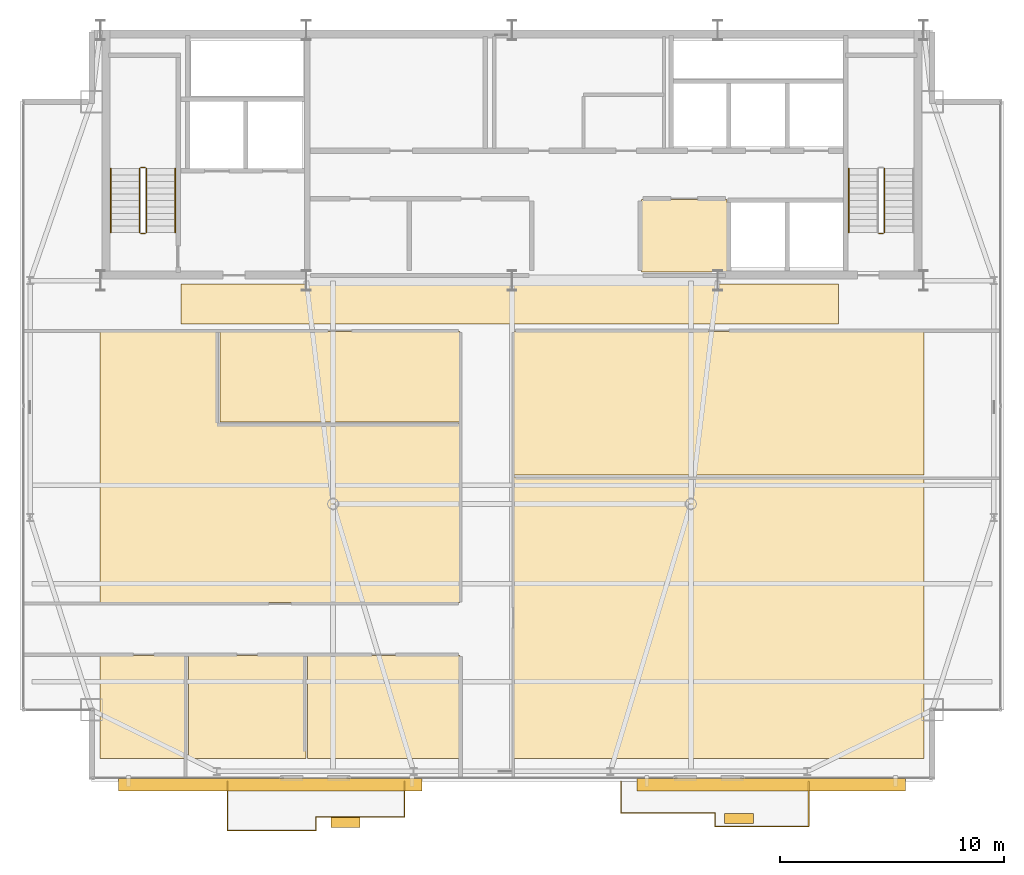
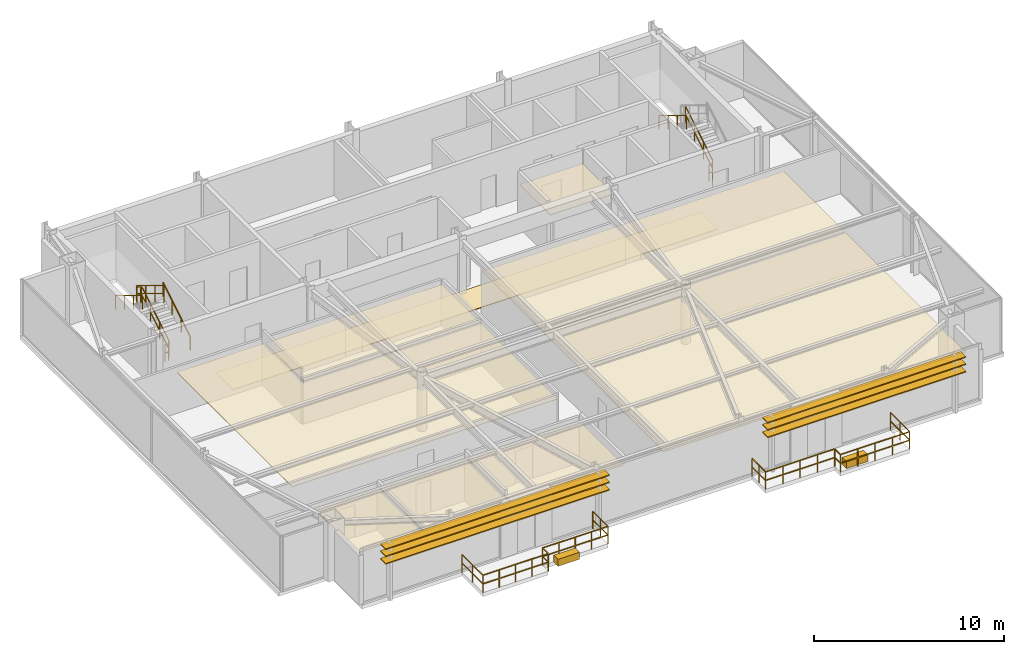
# One storey, part 23 of 24: 19 railings, 11 coverings, 6 shading devices.
"""IFC4 building model written with IfcOpenShell, lengths in metres."""

from ifc_helpers import new_model, si_unit, direction, frame, origin, origin_2d, place, context, subcontext, project, spatial, polyline, rectangle, outline, extrude, source, transform, mapped, material, layer, layer_set, type_object, type_shapes, element, save


model = new_model("IFC4")

# Units and contexts
model_context = context("Model", 3, precision=1e-05, world=origin(), true_north=direction((0.0, 1.0)))
body_context = subcontext(model_context, "Body", "Model", "MODEL_VIEW")
ifc_project = project(units=[si_unit("LENGTHUNIT", "METRE"), si_unit("AREAUNIT", "SQUARE_METRE"), si_unit("VOLUMEUNIT", "CUBIC_METRE"), si_unit("PLANEANGLEUNIT", "RADIAN"), si_unit("MASSUNIT", "GRAM", prefix="KILO")], contexts=[model_context])

# Site, building, storey
site_placement = place(None, origin())
site = spatial("IfcSite", under=ifc_project, at=site_placement, CompositionType="ELEMENT")
building_placement = place(site_placement, origin())
building = spatial("IfcBuilding", under=site, at=building_placement, Name="Varnel Quay Broadcast Tower", CompositionType="ELEMENT")
storey_placement = place(building_placement, frame((0.0, 0.0, 281.199951171875)))
storey = spatial("IfcBuildingStorey", under=building, at=storey_placement, Name="L70", CompositionType="ELEMENT", Elevation=281.199951171875)

# Coverings
ifc_material_1 = material(Name="Micro-Perforated Acoustic Ceiling Tile")
ifc_layer_1 = layer(ifc_material_1, 0.0400390625, Name="Micro-Perforated Acoustic Ceiling Tile")
ifc_layer_set_1 = layer_set([ifc_layer_1], Name="Micro-Perforated Acoustic Ceiling Tile")
covering_type_1 = type_object("IfcCoveringType", Name="Cov_AcousticCeiling", PredefinedType="CEILING", material=ifc_layer_set_1)
covering_1_placement = place(storey_placement, frame((0.0, 0.0, 2.580078125)))
element("IfcCovering", 1, at=covering_1_placement, inside=storey, type_object=covering_type_1, Name="L70 Electrical Sub-Distribution Closet Acoustic Ceiling", PredefinedType="CEILING", context=body_context, shape_type="SweptSolid", body=[
    extrude(outline(polyline([(39.784912109375, 35.985107421875), (43.614990234375, 35.985107421875), (43.614990234375, 39.215087890625), (39.784912109375, 39.215087890625), (39.784912109375, 35.985107421875)])), origin(), (0.0, 0.0, 1.0), 0.0400390625),
])
covering_2_placement = place(storey_placement, frame((0.0, 0.0, 2.580078125)))
element("IfcCovering", 2, at=covering_2_placement, inside=storey, type_object=covering_type_1, Name="L70 Broadcast Newsroom 1 Acoustic Ceiling", PredefinedType="CEILING", context=body_context, shape_type="SweptSolid", body=[
    extrude(outline(polyline([(15.5849609375, 14.22509765625), (19.465087890625, 14.22509765625), (19.465087890625, 18.824951171875), (15.5849609375, 18.824951171875), (15.5849609375, 14.22509765625)])), origin(), (0.0, 0.0, 1.0), 0.0400390625),
])
covering_3_placement = place(storey_placement, frame((0.0, 0.0, 2.580078125)))
element("IfcCovering", 3, at=covering_3_placement, inside=storey, type_object=covering_type_1, Name="L70 Assignment Desk 2 Acoustic Ceiling", PredefinedType="CEILING", context=body_context, shape_type="SweptSolid", body=[
    extrude(outline(polyline([(19.534912109375, 14.22509765625), (24.784912109375, 14.22509765625), (24.784912109375, 18.824951171875), (19.534912109375, 18.824951171875), (19.534912109375, 14.22509765625)])), origin(), (0.0, 0.0, 1.0), 0.0400390625),
])
covering_4_placement = place(storey_placement, frame((0.0, 0.0, 2.580078125)))
element("IfcCovering", 4, at=covering_4_placement, inside=storey, type_object=covering_type_1, Name="L70 Editorial Boardroom 3 Acoustic Ceiling", PredefinedType="CEILING", context=body_context, shape_type="SweptSolid", body=[
    extrude(outline(polyline([(24.85498046875, 14.22509765625), (31.6650390625, 14.22509765625), (31.6650390625, 18.824951171875), (24.85498046875, 18.824951171875), (24.85498046875, 14.22509765625)])), origin(), (0.0, 0.0, 1.0), 0.0400390625),
])
covering_5_placement = place(storey_placement, frame((0.0, 0.0, 2.580078125)))
element("IfcCovering", 5, at=covering_5_placement, inside=storey, type_object=covering_type_1, Name="L70 Press Green Lounge 4 Acoustic Ceiling", PredefinedType="CEILING", context=body_context, shape_type="SweptSolid", body=[
    extrude(outline(polyline([(15.5849609375, 21.195068359375), (31.6650390625, 21.195068359375), (31.6650390625, 29.215087890625), (20.875, 29.215087890625), (20.875, 33.31494140625), (15.5849609375, 33.31494140625), (15.5849609375, 21.195068359375)])), origin(), (0.0, 0.0, 1.0), 0.0400390625),
])
covering_6_placement = place(storey_placement, frame((0.0, 0.0, 2.580078125)))
element("IfcCovering", 6, at=covering_6_placement, inside=storey, type_object=covering_type_1, Name="L70 Editorial Boardroom 5 Acoustic Ceiling", PredefinedType="CEILING", context=body_context, shape_type="SweptSolid", body=[
    extrude(outline(polyline([(20.945068359375, 29.284912109375), (31.6650390625, 29.284912109375), (31.6650390625, 33.31494140625), (20.945068359375, 33.31494140625), (20.945068359375, 29.284912109375)])), origin(), (0.0, 0.0, 1.0), 0.0400390625),
])
covering_7_placement = place(storey_placement, frame((0.0, 0.0, 2.580078125)))
element("IfcCovering", 7, at=covering_7_placement, inside=storey, type_object=covering_type_1, Name="L70 Camera Locker Store 6 Acoustic Ceiling", PredefinedType="CEILING", context=body_context, shape_type="SweptSolid", body=[
    extrude(outline(polyline([(34.0849609375, 14.22509765625), (52.4150390625, 14.22509765625), (52.4150390625, 26.824951171875), (34.0849609375, 26.824951171875), (34.0849609375, 14.22509765625)])), origin(), (0.0, 0.0, 1.0), 0.0400390625),
])
covering_8_placement = place(storey_placement, frame((0.0, 0.0, 2.580078125)))
element("IfcCovering", 8, at=covering_8_placement, inside=storey, type_object=covering_type_1, Name="L70 Broadcast Newsroom 7 Acoustic Ceiling", PredefinedType="CEILING", context=body_context, shape_type="SweptSolid", body=[
    extrude(outline(polyline([(34.0849609375, 26.89501953125), (52.4150390625, 26.89501953125), (52.4150390625, 33.31494140625), (34.0849609375, 33.31494140625), (34.0849609375, 26.89501953125)])), origin(), (0.0, 0.0, 1.0), 0.0400390625),
])
ifc_material_2 = material(Name="Polished Terrazzo & Broadcast Raised Flooring")
ifc_layer_2 = layer(ifc_material_2, 0.0400390625, Name="Polished Terrazzo & Broadcast Raised Flooring")
ifc_layer_set_2 = layer_set([ifc_layer_2], Name="Polished Terrazzo & Broadcast Raised Flooring")
covering_type_2 = type_object("IfcCoveringType", Name="Cov_TerrazzoFloor", PredefinedType="FLOORING", material=ifc_layer_set_2)
covering_9_placement = place(storey_placement, origin())
element("IfcCovering", 9, at=covering_9_placement, inside=storey, type_object=covering_type_2, Name="L70 Corridor Terrazzo Flooring", PredefinedType="FLOORING", context=body_context, shape_type="SweptSolid", body=[
    extrude(outline(polyline([(19.199951171875, 33.64990234375), (48.60009765625, 33.64990234375), (48.60009765625, 35.449951171875), (19.199951171875, 35.449951171875), (19.199951171875, 33.64990234375)])), origin(), (0.0, 0.0, 1.0), 0.0400390625),
])

# Railings
ifc_material_3 = material(Name="Anodised Bronze Aluminium 6063-T6", Category="aluminium")
railing_type_1 = type_object("IfcRailingType", Name="Rail_Balustrade1150", PredefinedType="BALUSTRADE", material=ifc_material_3)
railing_1_placement = place(storey_placement, frame((21.27001953125, 11.010009765625, 0.0)))
element("IfcRailing", 10, at=railing_1_placement, inside=storey, type_object=railing_type_1, Name="L70 Terrace 1 Guard 1", PredefinedType="BALUSTRADE", context=body_context, shape_type="SweptSolid", body=[
    extrude(rectangle(XDim=0.048095703125, YDim=0.048095703125, at=origin_2d()), frame((0.0, 0.0, 1.1259765625), z_axis=(1.0, 0.0, 0.0), x_axis=(0.0, 1.0, 0.0)), (0.0, 0.0, 1.0), 3.965087890625),
    extrude(rectangle(XDim=0.048095703125, YDim=0.048095703125, at=origin_2d()), frame((0.0, 0.0, 0.574951171875), z_axis=(1.0, 0.0, 0.0), x_axis=(0.0, 1.0, 0.0)), (0.0, 0.0, 1.0), 3.965087890625),
    extrude(rectangle(XDim=0.0419921875, YDim=0.0419921875, at=origin_2d()), origin(), (0.0, 0.0, 1.0), 1.101806640625),
    extrude(rectangle(XDim=0.0419921875, YDim=0.0419921875, at=origin_2d()), frame((0.9912109375, 0.0, 0.0)), (0.0, 0.0, 1.0), 1.101806640625),
    extrude(rectangle(XDim=0.0419921875, YDim=0.0419921875, at=origin_2d()), frame((1.982421875, 0.0, 0.0)), (0.0, 0.0, 1.0), 1.101806640625),
    extrude(rectangle(XDim=0.0419921875, YDim=0.0419921875, at=origin_2d()), frame((2.973876953125, 0.0, 0.0)), (0.0, 0.0, 1.0), 1.101806640625),
    extrude(rectangle(XDim=0.0419921875, YDim=0.0419921875, at=origin_2d()), frame((3.965087890625, 0.0, 0.0)), (0.0, 0.0, 1.0), 1.101806640625),
])
railing_2_placement = place(storey_placement, frame((25.235107421875, 11.010009765625, 0.0)))
element("IfcRailing", 11, at=railing_2_placement, inside=storey, type_object=railing_type_1, Name="L70 Terrace 1 Guard 2", PredefinedType="BALUSTRADE", context=body_context, shape_type="SweptSolid", body=[
    extrude(rectangle(XDim=0.048095703125, YDim=0.048095703125, at=origin_2d()), frame((0.0, 0.0, 1.1259765625), z_axis=(0.0, 1.0, 0.0), x_axis=(-1.0, 0.0, 0.0)), (0.0, 0.0, 1.0), 0.60009765625),
    extrude(rectangle(XDim=0.048095703125, YDim=0.048095703125, at=origin_2d()), frame((0.0, 0.0, 0.574951171875), z_axis=(0.0, 1.0, 0.0), x_axis=(-1.0, 0.0, 0.0)), (0.0, 0.0, 1.0), 0.60009765625),
    extrude(rectangle(XDim=0.0419921875, YDim=0.0419921875, at=origin_2d()), origin(), (0.0, 0.0, 1.0), 1.101806640625),
    extrude(rectangle(XDim=0.0419921875, YDim=0.0419921875, at=origin_2d()), frame((0.0, 0.60009765625, 0.0)), (0.0, 0.0, 1.0), 1.101806640625),
])
railing_3_placement = place(storey_placement, frame((25.235107421875, 11.610107421875, 0.0)))
element("IfcRailing", 12, at=railing_3_placement, inside=storey, type_object=railing_type_1, Name="L70 Terrace 1 Guard 3", PredefinedType="BALUSTRADE", context=body_context, shape_type="SweptSolid", body=[
    extrude(rectangle(XDim=0.048095703125, YDim=0.048095703125, at=origin_2d()), frame((0.0, 0.0, 1.1259765625), z_axis=(1.0, 0.0, 0.0), x_axis=(0.0, 1.0, 0.0)), (0.0, 0.0, 1.0), 3.96484375),
    extrude(rectangle(XDim=0.048095703125, YDim=0.048095703125, at=origin_2d()), frame((0.0, 0.0, 0.574951171875), z_axis=(1.0, 0.0, 0.0), x_axis=(0.0, 1.0, 0.0)), (0.0, 0.0, 1.0), 3.96484375),
    extrude(rectangle(XDim=0.0419921875, YDim=0.0419921875, at=origin_2d()), origin(), (0.0, 0.0, 1.0), 1.101806640625),
    extrude(rectangle(XDim=0.0419921875, YDim=0.0419921875, at=origin_2d()), frame((0.9912109375, 0.0, 0.0)), (0.0, 0.0, 1.0), 1.101806640625),
    extrude(rectangle(XDim=0.0419921875, YDim=0.0419921875, at=origin_2d()), frame((1.982421875, 0.0, 0.0)), (0.0, 0.0, 1.0), 1.101806640625),
    extrude(rectangle(XDim=0.0419921875, YDim=0.0419921875, at=origin_2d()), frame((2.9736328125, 0.0, 0.0)), (0.0, 0.0, 1.0), 1.101806640625),
    extrude(rectangle(XDim=0.0419921875, YDim=0.0419921875, at=origin_2d()), frame((3.96484375, 0.0, 0.0)), (0.0, 0.0, 1.0), 1.101806640625),
])
railing_4_placement = place(storey_placement, frame((29.199951171875, 11.610107421875, 0.0)))
element("IfcRailing", 13, at=railing_4_placement, inside=storey, type_object=railing_type_1, Name="L70 Terrace 1 Guard 4", PredefinedType="BALUSTRADE", context=body_context, shape_type="SweptSolid", body=[
    extrude(rectangle(XDim=0.048095703125, YDim=0.048095703125, at=origin_2d()), frame((0.0, 0.0, 1.1259765625), z_axis=(0.0, 1.0, 0.0), x_axis=(-1.0, 0.0, 0.0)), (0.0, 0.0, 1.0), 1.58984375),
    extrude(rectangle(XDim=0.048095703125, YDim=0.048095703125, at=origin_2d()), frame((0.0, 0.0, 0.574951171875), z_axis=(0.0, 1.0, 0.0), x_axis=(-1.0, 0.0, 0.0)), (0.0, 0.0, 1.0), 1.58984375),
    extrude(rectangle(XDim=0.0419921875, YDim=0.0419921875, at=origin_2d()), origin(), (0.0, 0.0, 1.0), 1.101806640625),
    extrude(rectangle(XDim=0.0419921875, YDim=0.0419921875, at=origin_2d()), frame((0.0, 0.794921875, 0.0)), (0.0, 0.0, 1.0), 1.101806640625),
    extrude(rectangle(XDim=0.0419921875, YDim=0.0419921875, at=origin_2d()), frame((0.0, 1.58984375, 0.0)), (0.0, 0.0, 1.0), 1.101806640625),
])
railing_5_placement = place(storey_placement, frame((21.27001953125, 13.199951171875, 0.0)))
element("IfcRailing", 14, at=railing_5_placement, inside=storey, type_object=railing_type_1, Name="L70 Terrace 1 Guard 6", PredefinedType="BALUSTRADE", context=body_context, shape_type="SweptSolid", body=[
    extrude(rectangle(XDim=0.048095703125, YDim=0.048095703125, at=origin_2d()), frame((0.0, 0.0, 1.1259765625), z_axis=(0.0, -1.0, 0.0), x_axis=(1.0, 0.0, 0.0)), (0.0, 0.0, 1.0), 2.18994140625),
    extrude(rectangle(XDim=0.048095703125, YDim=0.048095703125, at=origin_2d()), frame((0.0, 0.0, 0.574951171875), z_axis=(0.0, -1.0, 0.0), x_axis=(1.0, 0.0, 0.0)), (0.0, 0.0, 1.0), 2.18994140625),
    extrude(rectangle(XDim=0.0419921875, YDim=0.0419921875, at=origin_2d()), origin(), (0.0, 0.0, 1.0), 1.101806640625),
    extrude(rectangle(XDim=0.0419921875, YDim=0.0419921875, at=origin_2d()), frame((0.0, -1.094970703125, 0.0)), (0.0, 0.0, 1.0), 1.101806640625),
    extrude(rectangle(XDim=0.0419921875, YDim=0.0419921875, at=origin_2d()), frame((0.0, -2.18994140625, 0.0)), (0.0, 0.0, 1.0), 1.101806640625),
])
railing_6_placement = place(storey_placement, frame((38.8701171875, 11.7900390625, 0.0)))
element("IfcRailing", 15, at=railing_6_placement, inside=storey, type_object=railing_type_1, Name="L70 Terrace 2 Guard 1", PredefinedType="BALUSTRADE", context=body_context, shape_type="SweptSolid", body=[
    extrude(rectangle(XDim=0.048095703125, YDim=0.048095703125, at=origin_2d()), frame((0.0, 0.0, 1.1259765625), z_axis=(1.0, 0.0, 0.0), x_axis=(0.0, 1.0, 0.0)), (0.0, 0.0, 1.0), 4.199951171875),
    extrude(rectangle(XDim=0.048095703125, YDim=0.048095703125, at=origin_2d()), frame((0.0, 0.0, 0.574951171875), z_axis=(1.0, 0.0, 0.0), x_axis=(0.0, 1.0, 0.0)), (0.0, 0.0, 1.0), 4.199951171875),
    extrude(rectangle(XDim=0.0419921875, YDim=0.0419921875, at=origin_2d()), origin(), (0.0, 0.0, 1.0), 1.101806640625),
    extrude(rectangle(XDim=0.0419921875, YDim=0.0419921875, at=origin_2d()), frame((1.050048828125, 0.0, 0.0)), (0.0, 0.0, 1.0), 1.101806640625),
    extrude(rectangle(XDim=0.0419921875, YDim=0.0419921875, at=origin_2d()), frame((2.10009765625, 0.0, 0.0)), (0.0, 0.0, 1.0), 1.101806640625),
    extrude(rectangle(XDim=0.0419921875, YDim=0.0419921875, at=origin_2d()), frame((3.14990234375, 0.0, 0.0)), (0.0, 0.0, 1.0), 1.101806640625),
    extrude(rectangle(XDim=0.0419921875, YDim=0.0419921875, at=origin_2d()), frame((4.199951171875, 0.0, 0.0)), (0.0, 0.0, 1.0), 1.101806640625),
])
railing_7_placement = place(storey_placement, frame((43.070068359375, 11.7900390625, 0.0)))
element("IfcRailing", 16, at=railing_7_placement, inside=storey, type_object=railing_type_1, Name="L70 Terrace 2 Guard 2", PredefinedType="BALUSTRADE", context=body_context, shape_type="SweptSolid", body=[
    extrude(rectangle(XDim=0.048095703125, YDim=0.048095703125, at=origin_2d()), frame((0.0, 0.0, 1.1259765625), z_axis=(0.0, -1.0, 0.0), x_axis=(1.0, 0.0, 0.0)), (0.0, 0.0, 1.0), 0.60009765625),
    extrude(rectangle(XDim=0.048095703125, YDim=0.048095703125, at=origin_2d()), frame((0.0, 0.0, 0.574951171875), z_axis=(0.0, -1.0, 0.0), x_axis=(1.0, 0.0, 0.0)), (0.0, 0.0, 1.0), 0.60009765625),
    extrude(rectangle(XDim=0.0419921875, YDim=0.0419921875, at=origin_2d()), origin(), (0.0, 0.0, 1.0), 1.101806640625),
    extrude(rectangle(XDim=0.0419921875, YDim=0.0419921875, at=origin_2d()), frame((0.0, -0.60009765625, 0.0)), (0.0, 0.0, 1.0), 1.101806640625),
])
railing_8_placement = place(storey_placement, frame((43.070068359375, 11.18994140625, 0.0)))
element("IfcRailing", 17, at=railing_8_placement, inside=storey, type_object=railing_type_1, Name="L70 Terrace 2 Guard 3", PredefinedType="BALUSTRADE", context=body_context, shape_type="SweptSolid", body=[
    extrude(rectangle(XDim=0.048095703125, YDim=0.048095703125, at=origin_2d()), frame((0.0, 0.0, 1.1259765625), z_axis=(1.0, 0.0, 0.0), x_axis=(0.0, 1.0, 0.0)), (0.0, 0.0, 1.0), 4.199951171875),
    extrude(rectangle(XDim=0.048095703125, YDim=0.048095703125, at=origin_2d()), frame((0.0, 0.0, 0.574951171875), z_axis=(1.0, 0.0, 0.0), x_axis=(0.0, 1.0, 0.0)), (0.0, 0.0, 1.0), 4.199951171875),
    extrude(rectangle(XDim=0.0419921875, YDim=0.0419921875, at=origin_2d()), origin(), (0.0, 0.0, 1.0), 1.101806640625),
    extrude(rectangle(XDim=0.0419921875, YDim=0.0419921875, at=origin_2d()), frame((1.050048828125, 0.0, 0.0)), (0.0, 0.0, 1.0), 1.101806640625),
    extrude(rectangle(XDim=0.0419921875, YDim=0.0419921875, at=origin_2d()), frame((2.10009765625, 0.0, 0.0)), (0.0, 0.0, 1.0), 1.101806640625),
    extrude(rectangle(XDim=0.0419921875, YDim=0.0419921875, at=origin_2d()), frame((3.14990234375, 0.0, 0.0)), (0.0, 0.0, 1.0), 1.101806640625),
    extrude(rectangle(XDim=0.0419921875, YDim=0.0419921875, at=origin_2d()), frame((4.199951171875, 0.0, 0.0)), (0.0, 0.0, 1.0), 1.101806640625),
])
railing_9_placement = place(storey_placement, frame((47.27001953125, 11.18994140625, 0.0)))
element("IfcRailing", 18, at=railing_9_placement, inside=storey, type_object=railing_type_1, Name="L70 Terrace 2 Guard 4", PredefinedType="BALUSTRADE", context=body_context, shape_type="SweptSolid", body=[
    extrude(rectangle(XDim=0.048095703125, YDim=0.048095703125, at=origin_2d()), frame((0.0, 0.0, 1.1259765625), z_axis=(0.0, 1.0, 0.0), x_axis=(-1.0, 0.0, 0.0)), (0.0, 0.0, 1.0), 2.010009765625),
    extrude(rectangle(XDim=0.048095703125, YDim=0.048095703125, at=origin_2d()), frame((0.0, 0.0, 0.574951171875), z_axis=(0.0, 1.0, 0.0), x_axis=(-1.0, 0.0, 0.0)), (0.0, 0.0, 1.0), 2.010009765625),
    extrude(rectangle(XDim=0.0419921875, YDim=0.0419921875, at=origin_2d()), origin(), (0.0, 0.0, 1.0), 1.101806640625),
    extrude(rectangle(XDim=0.0419921875, YDim=0.0419921875, at=origin_2d()), frame((0.0, 1.0048828125, 0.0)), (0.0, 0.0, 1.0), 1.101806640625),
    extrude(rectangle(XDim=0.0419921875, YDim=0.0419921875, at=origin_2d()), frame((0.0, 2.010009765625, 0.0)), (0.0, 0.0, 1.0), 1.101806640625),
])
railing_10_placement = place(storey_placement, frame((38.8701171875, 13.199951171875, 0.0)))
element("IfcRailing", 19, at=railing_10_placement, inside=storey, type_object=railing_type_1, Name="L70 Terrace 2 Guard 6", PredefinedType="BALUSTRADE", context=body_context, shape_type="SweptSolid", body=[
    extrude(rectangle(XDim=0.048095703125, YDim=0.048095703125, at=origin_2d()), frame((0.0, 0.0, 1.1259765625), z_axis=(0.0, -1.0, 0.0), x_axis=(1.0, 0.0, 0.0)), (0.0, 0.0, 1.0), 1.409912109375),
    extrude(rectangle(XDim=0.048095703125, YDim=0.048095703125, at=origin_2d()), frame((0.0, 0.0, 0.574951171875), z_axis=(0.0, -1.0, 0.0), x_axis=(1.0, 0.0, 0.0)), (0.0, 0.0, 1.0), 1.409912109375),
    extrude(rectangle(XDim=0.0419921875, YDim=0.0419921875, at=origin_2d()), origin(), (0.0, 0.0, 1.0), 1.101806640625),
    extrude(rectangle(XDim=0.0419921875, YDim=0.0419921875, at=origin_2d()), frame((0.0, -0.705078125, 0.0)), (0.0, 0.0, 1.0), 1.101806640625),
    extrude(rectangle(XDim=0.0419921875, YDim=0.0419921875, at=origin_2d()), frame((0.0, -1.409912109375, 0.0)), (0.0, 0.0, 1.0), 1.101806640625),
])
ifc_material_4 = material(Name="Painted Steel Guard and Handrail CSA G40.21 350W", Category="steel")
railing_type_2 = type_object("IfcRailingType", Name="Rail_StairGuard1100", PredefinedType="GUARDRAIL", material=ifc_material_4)
railing_11_placement = place(storey_placement, frame((17.64990234375, 37.75, 0.1728515625)))
element("IfcRailing", 20, at=railing_11_placement, inside=storey, type_object=railing_type_2, Name="L70 ST-01 stair guard 1", PredefinedType="GUARDRAIL", context=body_context, shape_type="SweptSolid", body=[
    extrude(rectangle(XDim=0.048095703125, YDim=0.048095703125, at=origin_2d()), frame((0.0, 0.0, 1.076171875), z_axis=(0.0, 0.855202751398, 0.518293598264), x_axis=(-1.0, 0.0, 0.0)), (0.0, 0.0, 1.0), 3.332763671875),
    extrude(rectangle(XDim=0.048095703125, YDim=0.048095703125, at=origin_2d()), frame((0.0, 0.0, 0.550048828125), z_axis=(0.0, 0.855202751398, 0.518293598264), x_axis=(-1.0, 0.0, 0.0)), (0.0, 0.0, 1.0), 3.332763671875),
    extrude(rectangle(XDim=0.0419921875, YDim=0.0419921875, at=origin_2d()), origin(), (0.0, 0.0, 1.0), 1.052001953125),
    extrude(rectangle(XDim=0.0419921875, YDim=0.0419921875, at=origin_2d()), frame((0.0, 0.949951171875, 0.57568359375)), (0.0, 0.0, 1.0), 1.052001953125),
    extrude(rectangle(XDim=0.0419921875, YDim=0.0419921875, at=origin_2d()), frame((0.0, 1.900146484375, 1.151611328125)), (0.0, 0.0, 1.0), 1.052001953125),
    extrude(rectangle(XDim=0.0419921875, YDim=0.0419921875, at=origin_2d()), frame((0.0, 2.85009765625, 1.727294921875)), (0.0, 0.0, 1.0), 1.052001953125),
])
railing_12_placement = place(storey_placement, frame((17.60009765625, 40.64990234375, 1.900146484375)))
element("IfcRailing", 21, at=railing_12_placement, inside=storey, type_object=railing_type_2, Name="L70 ST-01 stair guard 2", PredefinedType="GUARDRAIL", context=body_context, shape_type="SweptSolid", body=[
    extrude(rectangle(XDim=0.048095703125, YDim=0.048095703125, at=origin_2d()), frame((0.0, 0.0, 1.076171875), z_axis=(-1.0, 0.0, 0.0), x_axis=(0.0, -1.0, 0.0)), (0.0, 0.0, 1.0), 0.2001953125),
    extrude(rectangle(XDim=0.048095703125, YDim=0.048095703125, at=origin_2d()), frame((0.0, 0.0, 0.550048828125), z_axis=(-1.0, 0.0, 0.0), x_axis=(0.0, -1.0, 0.0)), (0.0, 0.0, 1.0), 0.2001953125),
    extrude(rectangle(XDim=0.0419921875, YDim=0.0419921875, at=origin_2d()), origin(), (0.0, 0.0, 1.0), 1.052001953125),
    extrude(rectangle(XDim=0.0419921875, YDim=0.0419921875, at=origin_2d()), frame((-0.2001953125, 0.0, 0.0)), (0.0, 0.0, 1.0), 1.052001953125),
])
railing_13_placement = place(storey_placement, frame((17.35009765625, 40.60009765625, 2.07275390625)))
element("IfcRailing", 22, at=railing_13_placement, inside=storey, type_object=railing_type_2, Name="L70 ST-01 stair guard 3", PredefinedType="GUARDRAIL", context=body_context, shape_type="SweptSolid", body=[
    extrude(rectangle(XDim=0.048095703125, YDim=0.048095703125, at=origin_2d()), frame((0.0, 0.0, 1.076171875), z_axis=(0.0, -0.855202751398, 0.518293598264), x_axis=(1.0, 0.0, 0.0)), (0.0, 0.0, 1.0), 3.332763671875),
    extrude(rectangle(XDim=0.048095703125, YDim=0.048095703125, at=origin_2d()), frame((0.0, 0.0, 0.550048828125), z_axis=(0.0, -0.855202751398, 0.518293598264), x_axis=(1.0, 0.0, 0.0)), (0.0, 0.0, 1.0), 3.332763671875),
    extrude(rectangle(XDim=0.0419921875, YDim=0.0419921875, at=origin_2d()), origin(), (0.0, 0.0, 1.0), 1.052001953125),
    extrude(rectangle(XDim=0.0419921875, YDim=0.0419921875, at=origin_2d()), frame((0.0, -0.949951171875, 0.57568359375)), (0.0, 0.0, 1.0), 1.052001953125),
    extrude(rectangle(XDim=0.0419921875, YDim=0.0419921875, at=origin_2d()), frame((0.0, -1.900146484375, 1.151611328125)), (0.0, 0.0, 1.0), 1.052001953125),
    extrude(rectangle(XDim=0.0419921875, YDim=0.0419921875, at=origin_2d()), frame((0.0, -2.85009765625, 1.727294921875)), (0.0, 0.0, 1.0), 1.052001953125),
])
railing_14_placement = place(storey_placement, frame((17.60009765625, 37.699951171875, 0.0)))
element("IfcRailing", 23, at=railing_14_placement, inside=storey, type_object=railing_type_2, Name="L70 ST-01 stair guard 4", PredefinedType="GUARDRAIL", context=body_context, shape_type="SweptSolid", body=[
    extrude(rectangle(XDim=0.048095703125, YDim=0.048095703125, at=origin_2d()), frame((0.0, 0.0, 1.076171875), z_axis=(-1.0, 0.0, 0.0), x_axis=(0.0, -1.0, 0.0)), (0.0, 0.0, 1.0), 0.2001953125),
    extrude(rectangle(XDim=0.048095703125, YDim=0.048095703125, at=origin_2d()), frame((0.0, 0.0, 0.550048828125), z_axis=(-1.0, 0.0, 0.0), x_axis=(0.0, -1.0, 0.0)), (0.0, 0.0, 1.0), 0.2001953125),
    extrude(rectangle(XDim=0.0419921875, YDim=0.0419921875, at=origin_2d()), origin(), (0.0, 0.0, 1.0), 1.052001953125),
    extrude(rectangle(XDim=0.0419921875, YDim=0.0419921875, at=origin_2d()), frame((-0.2001953125, 0.0, 0.0)), (0.0, 0.0, 1.0), 1.052001953125),
])
railing_15_placement = place(storey_placement, frame((50.64990234375, 37.75, 0.1728515625)))
element("IfcRailing", 24, at=railing_15_placement, inside=storey, type_object=railing_type_2, Name="L70 ST-02 stair guard 1", PredefinedType="GUARDRAIL", context=body_context, shape_type="SweptSolid", body=[
    extrude(rectangle(XDim=0.048095703125, YDim=0.048095703125, at=origin_2d()), frame((0.0, 0.0, 1.076171875), z_axis=(0.0, 0.855202751398, 0.518293598264), x_axis=(-1.0, 0.0, 0.0)), (0.0, 0.0, 1.0), 3.332763671875),
    extrude(rectangle(XDim=0.048095703125, YDim=0.048095703125, at=origin_2d()), frame((0.0, 0.0, 0.550048828125), z_axis=(0.0, 0.855202751398, 0.518293598264), x_axis=(-1.0, 0.0, 0.0)), (0.0, 0.0, 1.0), 3.332763671875),
    extrude(rectangle(XDim=0.0419921875, YDim=0.0419921875, at=origin_2d()), origin(), (0.0, 0.0, 1.0), 1.052001953125),
    extrude(rectangle(XDim=0.0419921875, YDim=0.0419921875, at=origin_2d()), frame((0.0, 0.949951171875, 0.57568359375)), (0.0, 0.0, 1.0), 1.052001953125),
    extrude(rectangle(XDim=0.0419921875, YDim=0.0419921875, at=origin_2d()), frame((0.0, 1.900146484375, 1.151611328125)), (0.0, 0.0, 1.0), 1.052001953125),
    extrude(rectangle(XDim=0.0419921875, YDim=0.0419921875, at=origin_2d()), frame((0.0, 2.85009765625, 1.727294921875)), (0.0, 0.0, 1.0), 1.052001953125),
])
railing_16_placement = place(storey_placement, frame((50.60009765625, 37.699951171875, 0.0)))
element("IfcRailing", 25, at=railing_16_placement, inside=storey, type_object=railing_type_2, Name="L70 ST-02 stair guard 4", PredefinedType="GUARDRAIL", context=body_context, shape_type="SweptSolid", body=[
    extrude(rectangle(XDim=0.048095703125, YDim=0.048095703125, at=origin_2d()), frame((0.0, 0.0, 1.076171875), z_axis=(-1.0, 0.0, 0.0), x_axis=(0.0, -1.0, 0.0)), (0.0, 0.0, 1.0), 0.2001953125),
    extrude(rectangle(XDim=0.048095703125, YDim=0.048095703125, at=origin_2d()), frame((0.0, 0.0, 0.550048828125), z_axis=(-1.0, 0.0, 0.0), x_axis=(0.0, -1.0, 0.0)), (0.0, 0.0, 1.0), 0.2001953125),
    extrude(rectangle(XDim=0.0419921875, YDim=0.0419921875, at=origin_2d()), origin(), (0.0, 0.0, 1.0), 1.052001953125),
    extrude(rectangle(XDim=0.0419921875, YDim=0.0419921875, at=origin_2d()), frame((-0.2001953125, 0.0, 0.0)), (0.0, 0.0, 1.0), 1.052001953125),
])
railing_type_3 = type_object("IfcRailingType", Name="Rail_StairHandrail900", PredefinedType="HANDRAIL", material=ifc_material_4)
railing_17_placement = place(storey_placement, frame((18.949951171875, 37.75, 0.1728515625)))
element("IfcRailing", 26, at=railing_17_placement, inside=storey, type_object=railing_type_3, Name="L70 ST-01 stair handrail 1", PredefinedType="HANDRAIL", context=body_context, shape_type="SweptSolid", body=[
    extrude(rectangle(XDim=0.048095703125, YDim=0.048095703125, at=origin_2d()), frame((0.0, 0.0, 0.8759765625), z_axis=(0.0, 0.855202751398, 0.518293598264), x_axis=(-1.0, 0.0, 0.0)), (0.0, 0.0, 1.0), 3.332763671875),
    extrude(rectangle(XDim=0.0419921875, YDim=0.0419921875, at=origin_2d()), origin(), (0.0, 0.0, 1.0), 0.851806640625),
    extrude(rectangle(XDim=0.0419921875, YDim=0.0419921875, at=origin_2d()), frame((0.0, 0.949951171875, 0.57568359375)), (0.0, 0.0, 1.0), 0.851806640625),
    extrude(rectangle(XDim=0.0419921875, YDim=0.0419921875, at=origin_2d()), frame((0.0, 1.900146484375, 1.151611328125)), (0.0, 0.0, 1.0), 0.851806640625),
    extrude(rectangle(XDim=0.0419921875, YDim=0.0419921875, at=origin_2d()), frame((0.0, 2.85009765625, 1.727294921875)), (0.0, 0.0, 1.0), 0.851806640625),
])
for number, where, name in (
    (27, (16.050048828125, 40.60009765625, 2.07275390625), "L70 ST-01 stair handrail 2"),
    (28, (49.050048828125, 40.60009765625, 2.07275390625), "L70 ST-02 stair handrail 2"),
):
    element("IfcRailing", number, at=place(storey_placement, frame(where)), inside=storey, type_object=railing_type_3, Name=name, PredefinedType="HANDRAIL", context=body_context, shape_type="SweptSolid", body=[
        extrude(rectangle(XDim=0.048095703125, YDim=0.048095703125, at=origin_2d()), frame((0.0, 0.0, 0.8759765625), z_axis=(0.0, -0.855202751398, 0.518293598264), x_axis=(1.0, 0.0, 0.0)), (0.0, 0.0, 1.0), 3.332763671875),
        extrude(rectangle(XDim=0.0419921875, YDim=0.0419921875, at=origin_2d()), origin(), (0.0, 0.0, 1.0), 0.851806640625),
        extrude(rectangle(XDim=0.0419921875, YDim=0.0419921875, at=origin_2d()), frame((0.0, -0.949951171875, 0.57568359375)), (0.0, 0.0, 1.0), 0.851806640625),
        extrude(rectangle(XDim=0.0419921875, YDim=0.0419921875, at=origin_2d()), frame((0.0, -1.900146484375, 1.151611328125)), (0.0, 0.0, 1.0), 0.851806640625),
        extrude(rectangle(XDim=0.0419921875, YDim=0.0419921875, at=origin_2d()), frame((0.0, -2.85009765625, 1.727294921875)), (0.0, 0.0, 1.0), 0.851806640625),
    ])

# Coverings
ifc_material_5 = material(Name="Bronze-Terracotta Extruded Ceramic Blade", Category="masonry")
ifc_layer_3 = layer(ifc_material_5, 0.449951171875, Name="Bronze-Terracotta Extruded Ceramic Blade")
ifc_layer_set_3 = layer_set([ifc_layer_3], Name="Bronze-Terracotta Extruded Ceramic Blade")
covering_type_3 = type_object("IfcCoveringType", Name="Cov_BronzePlanter", PredefinedType="CLADDING", material=ifc_layer_set_3)
shared_shape_1 = source(origin(), body_context, "Body", "SweptSolid", [
    extrude(rectangle(XDim=1.300048828125, YDim=0.449951171875, at=origin_2d()), origin(), (0.0, 0.0, 1.0), 0.449951171875),
])
type_shapes(covering_type_3, [shared_shape_1])
for number, where, z_axis, x_axis, name in (
    (29, (26.550048828125, 11.360107421875, 0.0), (0.0, 0.0, 1.0), (1.0, 0.0, 0.0), "L70 Terrace 1 Bronze Planter"),
    (30, (44.14990234375, 11.5400390625, 0.0), (0.0, 0.0, 1.0), (1.0, 0.0, 0.0), "L70 Terrace 2 Bronze Planter"),
):
    element("IfcCovering", number, at=place(storey_placement, frame(where, z_axis=z_axis, x_axis=x_axis)), inside=storey, type_object=covering_type_3, Name=name, PredefinedType="CLADDING", context=body_context, shape_type="MappedRepresentation", body=[
        mapped(shared_shape_1, transform((0.0, 0.0, 0.0), x_axis=(1.0, 0.0, 0.0), y_axis=(0.0, 1.0, 0.0), z_axis=(0.0, 0.0, 1.0), scale=1.0)),
    ])

# Shading devices
ifc_layer_4 = layer(ifc_material_5, 0.06494140625, Name="Bronze-Terracotta Extruded Ceramic Blade")
ifc_layer_set_4 = layer_set([ifc_layer_4], Name="Bronze-Terracotta Extruded Ceramic Blade")
shading_device_type = type_object("IfcShadingDeviceType", Name="Shade_LouvreBlade550", PredefinedType="JALOUSIE", material=ifc_layer_set_4)
shared_shape_2 = source(origin(), body_context, "Body", "SweptSolid", [
    extrude(rectangle(XDim=13.5791015625, YDim=0.550048828125, at=origin_2d()), origin(), (0.0, 0.0, 1.0), 0.06494140625),
])
for number, where, z_axis, x_axis, name in (
    (31, (23.18896484375, 13.06005859375, 2.447509765625), (0.0, 0.0, 1.0), (1.0, 0.0, 0.0), "L70 Lobe 1 Horizontal Louvre Blade 1"),
    (32, (23.18896484375, 13.06005859375, 2.927490234375), (0.0, 0.0, 1.0), (1.0, 0.0, 0.0), "L70 Lobe 1 Horizontal Louvre Blade 2"),
    (33, (23.18896484375, 13.06005859375, 3.3876953125), (0.0, 0.0, 1.0), (1.0, 0.0, 0.0), "L70 Lobe 1 Horizontal Louvre Blade 3"),
):
    element("IfcShadingDevice", number, at=place(storey_placement, frame(where, z_axis=z_axis, x_axis=x_axis)), inside=storey, type_object=shading_device_type, Name=name, PredefinedType="JALOUSIE", context=body_context, shape_type="MappedRepresentation", body=[
        mapped(shared_shape_2, transform((0.0, 0.0, 0.0), x_axis=(1.0, 0.0, 0.0), y_axis=(0.0, 1.0, 0.0), z_axis=(0.0, 0.0, 1.0), scale=1.0)),
    ])
shared_shape_3 = source(origin(), body_context, "Body", "SweptSolid", [
    extrude(rectangle(XDim=12.02099609375, YDim=0.550048828125, at=origin_2d()), origin(), (0.0, 0.0, 1.0), 0.06494140625),
])
type_shapes(shading_device_type, [shared_shape_2, shared_shape_3])
for number, where, z_axis, x_axis, name in (
    (34, (45.590087890625, 13.06005859375, 2.447509765625), (0.0, 0.0, 1.0), (1.0, 0.0, 0.0), "L70 Lobe 2 Horizontal Louvre Blade 1"),
    (35, (45.590087890625, 13.06005859375, 2.927490234375), (0.0, 0.0, 1.0), (1.0, 0.0, 0.0), "L70 Lobe 2 Horizontal Louvre Blade 2"),
    (36, (45.590087890625, 13.06005859375, 3.3876953125), (0.0, 0.0, 1.0), (1.0, 0.0, 0.0), "L70 Lobe 2 Horizontal Louvre Blade 3"),
):
    element("IfcShadingDevice", number, at=place(storey_placement, frame(where, z_axis=z_axis, x_axis=x_axis)), inside=storey, type_object=shading_device_type, Name=name, PredefinedType="JALOUSIE", context=body_context, shape_type="MappedRepresentation", body=[
        mapped(shared_shape_3, transform((0.0, 0.0, 0.0), x_axis=(1.0, 0.0, 0.0), y_axis=(0.0, 1.0, 0.0), z_axis=(0.0, 0.0, 1.0), scale=1.0)),
    ])

save(model, "model.ifc")
